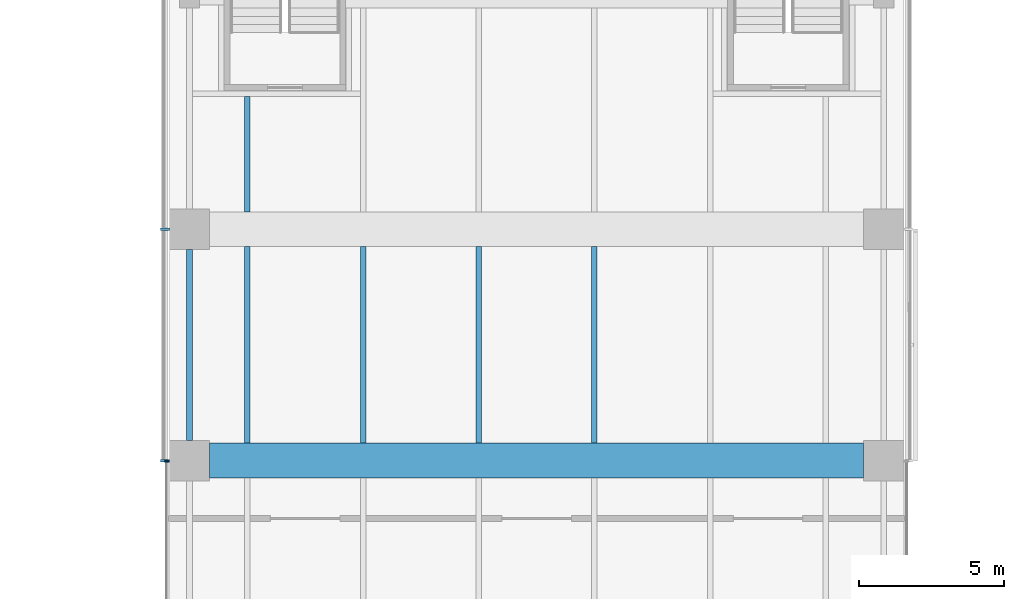
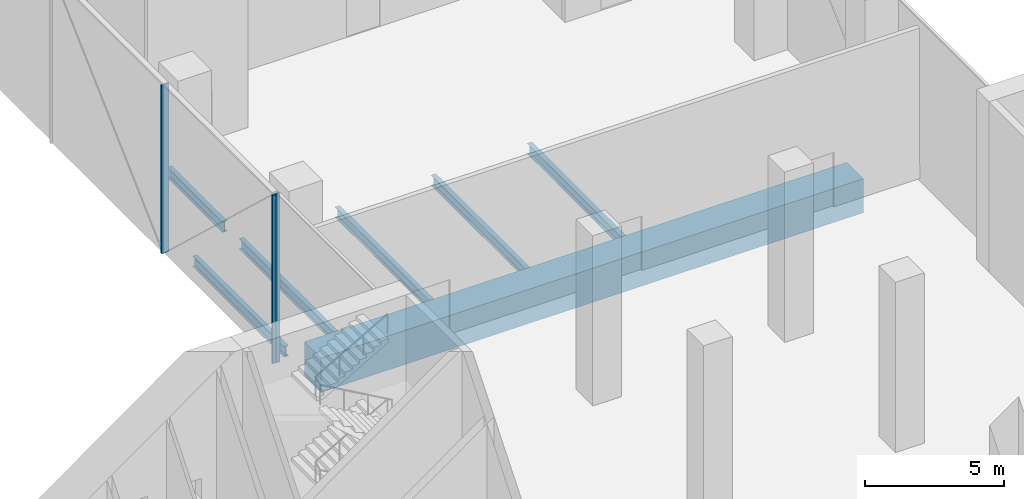
# One storey, part 8 of 25: 7 beams, 3 members, 2 elements without a shape of their own.
"""IFC4 building model written with IfcOpenShell, lengths in metres."""

from ifc_helpers import new_model, si_unit, direction, frame, origin, origin_2d, place, context, subcontext, project, spatial, rectangle, i_section, extrude, material, material_profile, profile_set, type_object, element, aggregate, save


model = new_model("IFC4")

# Units and contexts
model_context = context("Model", 3, precision=1e-05, world=origin(), true_north=direction((0.0, 1.0)))
body_context = subcontext(model_context, "Body", "Model", "MODEL_VIEW")
ifc_project = project(units=[si_unit("LENGTHUNIT", "METRE"), si_unit("AREAUNIT", "SQUARE_METRE"), si_unit("VOLUMEUNIT", "CUBIC_METRE"), si_unit("PLANEANGLEUNIT", "RADIAN"), si_unit("MASSUNIT", "GRAM", prefix="KILO")], contexts=[model_context])

# Site, building, storey
site_placement = place(None, origin())
site = spatial("IfcSite", under=ifc_project, at=site_placement, CompositionType="ELEMENT")
building_placement = place(site_placement, origin())
building = spatial("IfcBuilding", under=site, at=building_placement, Name="Crosswind Convention Tower", CompositionType="ELEMENT")
storey_placement = place(building_placement, frame((0.0, 0.0, 34.0)))
storey = spatial("IfcBuildingStorey", under=building, at=storey_placement, Name="L04", CompositionType="ELEMENT", Elevation=34.0)

# Beam
ifc_material_1 = material(Name="Steel S355", Category="steel")
ifc_material_profile_1 = material_profile(ifc_material_1, i_section(OverallWidth=0.19287109375, OverallDepth=0.467529296875, WebThickness=0.011474609375, FlangeThickness=0.01953125, FilletRadius=0.01025390625, at=origin_2d()), Name="UB 457x191x98")
ifc_profile_set_1 = profile_set([ifc_material_profile_1], Name="Steel S355")
beam_type_1 = type_object("IfcBeamType", Name="Edge beam UB 457x191x98", PredefinedType="SPANDREL", material=ifc_profile_set_1)
beam_1_placement = place(storey_placement, frame((113.0, 120.699951171875, -0.6337890625), z_axis=(0.0, 1.0, 0.0), x_axis=(-1.0, 0.0, 0.0)))
element("IfcBeam", 1, at=beam_1_placement, inside=storey, type_object=beam_type_1, Name="B20 L04 edge beam 10", PredefinedType="SPANDREL", context=body_context, shape_type="SweptSolid", body=[
    extrude(i_section(OverallWidth=0.19287109375, OverallDepth=0.467529296875, WebThickness=0.011474609375, FlangeThickness=0.01953125, FilletRadius=0.01025390625, at=origin_2d()), origin(), (0.0, 0.0, 1.0), 6.60009765625),
])

# Curtain wall, member
ifc_material_2 = material(Name="Aluminium unitised curtain wall", Category="aluminium")
curtain_wall_type_1 = type_object("IfcCurtainWallType", Name="CORE END SLOT WALL 160", PredefinedType="USERDEFINED", material=ifc_material_2)
curtain_wall_1_placement = place(storey_placement, origin())
curtain_wall_1 = element("IfcCurtainWall", 2, at=curtain_wall_1_placement, inside=storey, type_object=curtain_wall_type_1, Name="CW6 L04 N-W.1-4 slot", ObjectType="UNITISED", PredefinedType="USERDEFINED")
ifc_material_3 = material(Name="Aluminium mullion", Category="aluminium")
ifc_material_profile_2 = material_profile(ifc_material_3, rectangle(XDim=0.159912109375, YDim=0.050048828125, at=origin_2d()), Name="AL 160X50")
ifc_profile_set_2 = profile_set([ifc_material_profile_2], Name="Aluminium mullion")
member_type_1 = type_object("IfcMemberType", Name="MULLION 50X160", PredefinedType="MULLION", material=ifc_profile_set_2)
member_1_placement = place(storey_placement, frame((112.219970703125, 119.97509765625, -0.39990234375), z_axis=(0.0, 0.0, 1.0), x_axis=(-1.0, 0.0, 0.0)))
member_1 = element("IfcMember", 3, at=member_1_placement, type_object=member_type_1, Name="CW6 mullion 1", PredefinedType="MULLION", context=body_context, shape_type="SweptSolid", body=[
    extrude(rectangle(XDim=0.159912109375, YDim=0.050048828125, at=origin_2d()), origin(), (0.0, 0.0, 1.0), 7.449951171875),
])
aggregate(curtain_wall_1, [member_1])

# Curtain wall, members
curtain_wall_type_2 = type_object("IfcCurtainWallType", Name="PODIUM UNITISED WALL 300", PredefinedType="USERDEFINED", material=ifc_material_2)
curtain_wall_2_placement = place(storey_placement, origin())
curtain_wall_2 = element("IfcCurtainWall", 4, at=curtain_wall_2_placement, inside=storey, type_object=curtain_wall_type_2, Name="CW1 L04 N-W 1", ObjectType="UNITISED", PredefinedType="USERDEFINED")
ifc_material_profile_3 = material_profile(ifc_material_3, rectangle(XDim=0.300048828125, YDim=0.080078125, at=origin_2d()), Name="AL 300X80")
ifc_profile_set_3 = profile_set([ifc_material_profile_3], Name="Aluminium mullion")
member_type_2 = type_object("IfcMemberType", Name="MULLION 80X300", PredefinedType="MULLION", material=ifc_profile_set_3)
member_2_placement = place(storey_placement, frame((112.14990234375, 128.0, -0.39990234375), z_axis=(0.0, 0.0, 1.0), x_axis=(-1.0, 0.0, 0.0)))
member_2 = element("IfcMember", 5, at=member_2_placement, type_object=member_type_2, Name="CW1 mullion 3", PredefinedType="MULLION", context=body_context, shape_type="SweptSolid", body=[
    extrude(rectangle(XDim=0.300048828125, YDim=0.080078125, at=origin_2d()), origin(), (0.0, 0.0, 1.0), 7.419921875),
])
member_3_placement = place(storey_placement, frame((112.14990234375, 120.0, -0.39990234375), z_axis=(0.0, 0.0, 1.0), x_axis=(-1.0, 0.0, 0.0)))
member_3 = element("IfcMember", 6, at=member_3_placement, type_object=member_type_2, Name="CW1 mullion 4", PredefinedType="MULLION", context=body_context, shape_type="SweptSolid", body=[
    extrude(rectangle(XDim=0.300048828125, YDim=0.080078125, at=origin_2d()), origin(), (0.0, 0.0, 1.0), 7.419921875),
])
aggregate(curtain_wall_2, [member_2, member_3])

# Beams
ifc_material_4 = material(Name="Concrete C70/85", Category="concrete")
ifc_material_profile_4 = material_profile(ifc_material_4, rectangle(XDim=1.199951171875, YDim=1.5, at=origin_2d()), Name="RC 1200X1500")
ifc_profile_set_4 = profile_set([ifc_material_profile_4], Name="Concrete C70/85")
beam_type_2 = type_object("IfcBeamType", Name="Prestressed concrete girder RC 1200X1500", PredefinedType="BEAM", material=ifc_profile_set_4)
beam_2_placement = place(storey_placement, frame((113.699951171875, 120.0, -1.14990234375), z_axis=(1.0, 0.0, 0.0), x_axis=(0.0, 1.0, 0.0)))
element("IfcBeam", 7, at=beam_2_placement, inside=storey, type_object=beam_type_2, Name="B39 L04 prestressed concrete girder 3", PredefinedType="BEAM", context=body_context, shape_type="SweptSolid", body=[
    extrude(rectangle(XDim=1.199951171875, YDim=1.5, at=origin_2d()), origin(), (0.0, 0.0, 1.0), 22.60009765625),
])
ifc_material_profile_5 = material_profile(ifc_material_1, i_section(OverallWidth=0.19140625, OverallDepth=0.460205078125, WebThickness=0.010009765625, FlangeThickness=0.01611328125, FilletRadius=0.01025390625, at=origin_2d()), Name="UB 457x191x82")
ifc_profile_set_5 = profile_set([ifc_material_profile_5], Name="Steel S355")
beam_type_3 = type_object("IfcBeamType", Name="Secondary beam UB 457x191x82", PredefinedType="JOIST", material=ifc_profile_set_5)
beam_3_placement = place(storey_placement, frame((115.0, 120.60009765625, -0.630126953125), z_axis=(0.0, 1.0, 0.0), x_axis=(-1.0, 0.0, 0.0)))
element("IfcBeam", 8, at=beam_3_placement, inside=storey, type_object=beam_type_3, Name="B13 L04 secondary beam 18", PredefinedType="JOIST", context=body_context, shape_type="SweptSolid", body=[
    extrude(i_section(OverallWidth=0.19140625, OverallDepth=0.460205078125, WebThickness=0.010009765625, FlangeThickness=0.01611328125, FilletRadius=0.01025390625, at=origin_2d()), origin(), (0.0, 0.0, 1.0), 6.7998046875),
])
beam_4_placement = place(storey_placement, frame((115.0, 128.60009765625, -0.630126953125), z_axis=(0.0, 1.0, 0.0), x_axis=(-1.0, 0.0, 0.0)))
element("IfcBeam", 9, at=beam_4_placement, inside=storey, type_object=beam_type_3, Name="B13 L04 secondary beam 19", PredefinedType="JOIST", context=body_context, shape_type="SweptSolid", body=[
    extrude(i_section(OverallWidth=0.19140625, OverallDepth=0.460205078125, WebThickness=0.010009765625, FlangeThickness=0.01611328125, FilletRadius=0.01025390625, at=origin_2d()), origin(), (0.0, 0.0, 1.0), 3.993896484375),
])
for number, where, z_axis, x_axis, name in (
    (10, (119.0, 120.60009765625, -0.630126953125), (0.0, 1.0, 0.0), (-1.0, 0.0, 0.0), "B13 L04 secondary beam 25"),
    (11, (123.0, 120.60009765625, -0.630126953125), (0.0, 1.0, 0.0), (-1.0, 0.0, 0.0), "B13 L04 secondary beam 36"),
    (12, (127.0, 120.60009765625, -0.630126953125), (0.0, 1.0, 0.0), (-1.0, 0.0, 0.0), "B13 L04 secondary beam 44"),
):
    element("IfcBeam", number, at=place(storey_placement, frame(where, z_axis=z_axis, x_axis=x_axis)), inside=storey, type_object=beam_type_3, Name=name, PredefinedType="JOIST", context=body_context, shape_type="SweptSolid", body=[
        extrude(i_section(OverallWidth=0.19140625, OverallDepth=0.460205078125, WebThickness=0.010009765625, FlangeThickness=0.01611328125, FilletRadius=0.01025390625, at=origin_2d()), origin(), (0.0, 0.0, 1.0), 6.7998046875),
    ])

save(model, "model.ifc")
